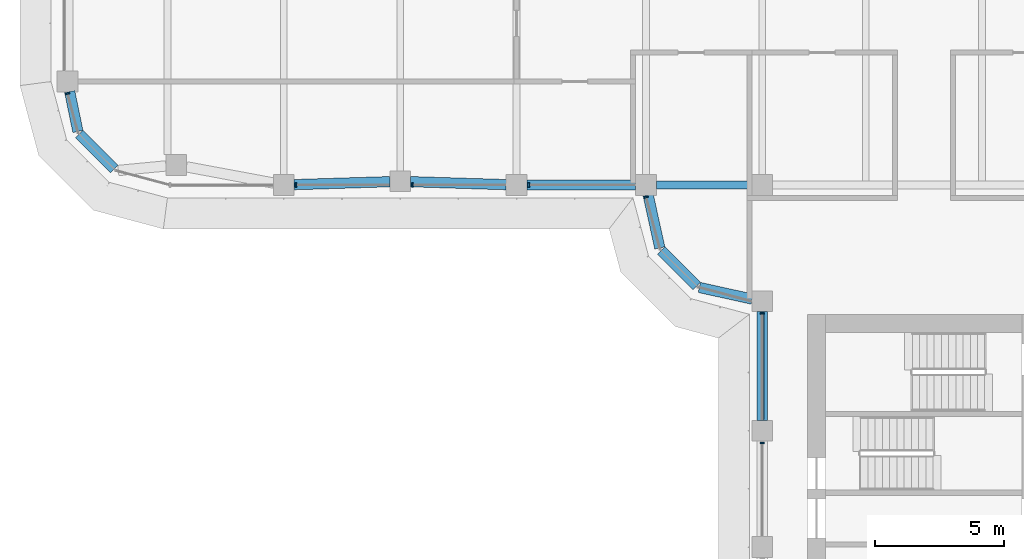
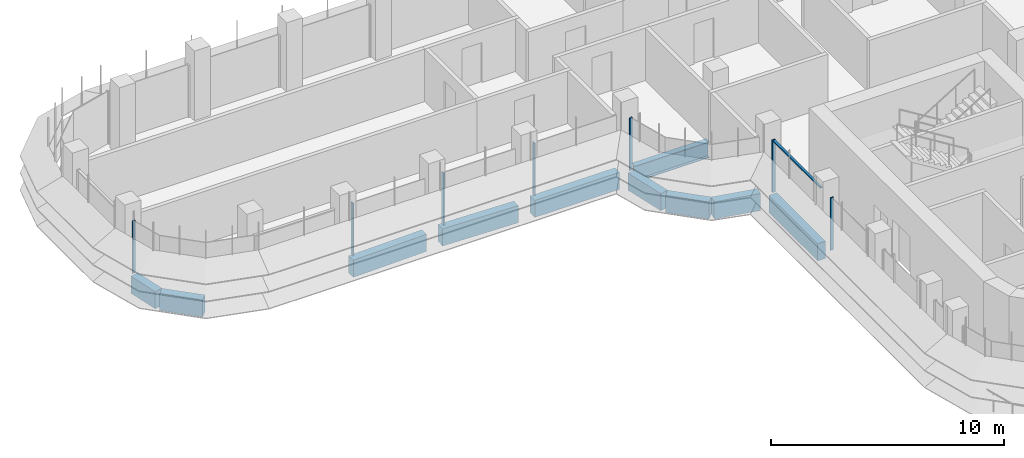
# One storey, part 3 of 20: 10 beams, 8 members, 4 elements without a shape of their own.
"""IFC4 building model written with IfcOpenShell, lengths in metres."""

from ifc_helpers import new_model, si_unit, direction, frame, origin, origin_2d, place, context, subcontext, project, spatial, polyline, rectangle, i_section, outline, extrude, source, transform, mapped, material, material_profile, profile_set, type_object, element, aggregate, save


model = new_model("IFC4")

# Units and contexts
model_context = context("Model", 3, precision=1e-05, world=origin(), true_north=direction((0.0, 1.0)))
body_context = subcontext(model_context, "Body", "Model", "MODEL_VIEW")
ifc_project = project(units=[si_unit("LENGTHUNIT", "METRE"), si_unit("AREAUNIT", "SQUARE_METRE"), si_unit("VOLUMEUNIT", "CUBIC_METRE"), si_unit("PLANEANGLEUNIT", "RADIAN"), si_unit("MASSUNIT", "GRAM", prefix="KILO")], contexts=[model_context])

# Site, building, storey
site_placement = place(None, origin())
site = spatial("IfcSite", under=ifc_project, at=site_placement, CompositionType="ELEMENT")
building_placement = place(site_placement, origin())
building = spatial("IfcBuilding", under=site, at=building_placement, Name="Zarbagh Exchange Tower", CompositionType="ELEMENT")
storey_placement = place(building_placement, frame((0.0, 0.0, 156.199951171875)))
storey = spatial("IfcBuildingStorey", under=building, at=storey_placement, Name="L37", CompositionType="ELEMENT", Elevation=156.199951171875)

# Beams
ifc_material_1 = material(Name="Steel ASTM A992 Gr 50", Category="steel")
ifc_material_profile_1 = material_profile(ifc_material_1, i_section(OverallWidth=0.2919921875, OverallDepth=0.835693359375, WebThickness=0.013916015625, FlangeThickness=0.018798828125, at=origin_2d()), Name="W33X118")
ifc_profile_set_1 = profile_set([ifc_material_profile_1], Name="Steel ASTM A992 Gr 50")
beam_type_1 = type_object("IfcBeamType", Name="Floor girder W33X118", PredefinedType="BEAM", material=ifc_profile_set_1)
beam_1_placement = place(storey_placement, frame((-10.35009765625, -6.25, -0.56787109375), z_axis=(1.0, 0.0, 0.0), x_axis=(0.0, 1.0, 0.0)))
element("IfcBeam", 1, at=beam_1_placement, inside=storey, type_object=beam_type_1, Name="Steel girder", PredefinedType="BEAM", context=body_context, shape_type="SweptSolid", body=[
    extrude(i_section(OverallWidth=0.2919921875, OverallDepth=0.835693359375, WebThickness=0.013916015625, FlangeThickness=0.018798828125, at=origin_2d()), origin(), (0.0, 0.0, 1.0), 3.7001953125),
])
ifc_material_2 = material(Name="Concrete C50/60", Category="concrete")
ifc_material_profile_2 = material_profile(ifc_material_2, rectangle(XDim=0.39990234375, YDim=0.89990234375, at=origin_2d()), Name="RC spandrel beam 400 x 900 C50/60")
ifc_profile_set_2 = profile_set([ifc_material_profile_2], Name="Concrete C50/60")
beam_type_2 = type_object("IfcBeamType", Name="RC spandrel beam 400 x 900 C50/60", PredefinedType="SPANDREL", material=ifc_profile_set_2)
beam_2_placement = place(storey_placement, frame((-6.25, -15.35009765625, -0.599853515625), z_axis=(0.0, 1.0, 0.0), x_axis=(-1.0, 0.0, 0.0)))
element("IfcBeam", 2, at=beam_2_placement, inside=storey, type_object=beam_type_2, Name="RC spandrel beam", PredefinedType="SPANDREL", context=body_context, shape_type="SweptSolid", body=[
    extrude(rectangle(XDim=0.39990234375, YDim=0.89990234375, at=origin_2d()), origin(), (0.0, 0.0, 1.0), 4.2001953125),
])
beam_3_placement = place(storey_placement, frame((-6.640625, -10.66357421875, -0.599853515625), z_axis=(-0.976384278741, 0.216041061437, 0.0), x_axis=(-0.216041061437, -0.976384278741, 0.0)))
element("IfcBeam", 3, at=beam_3_placement, inside=storey, type_object=beam_type_2, Name="RC spandrel beam", PredefinedType="SPANDREL", context=body_context, shape_type="SweptSolid", body=[
    extrude(rectangle(XDim=0.39990234375, YDim=0.89990234375, at=origin_2d()), origin(), (0.0, 0.0, 1.0), 2.0927734375),
])
beam_4_placement = place(storey_placement, frame((-8.782470703125, -10.15771484375, -0.599853515625), z_axis=(-0.707106781187, 0.707106781187, 0.0), x_axis=(-0.707106781187, -0.707106781187, 0.0)))
element("IfcBeam", 4, at=beam_4_placement, inside=storey, type_object=beam_type_2, Name="RC spandrel beam", PredefinedType="SPANDREL", context=body_context, shape_type="SweptSolid", body=[
    extrude(rectangle(XDim=0.39990234375, YDim=0.89990234375, at=origin_2d()), origin(), (0.0, 0.0, 1.0), 1.94482421875),
])
beam_5_placement = place(storey_placement, frame((-10.21142578125, -8.68408203125, -0.599853515625), z_axis=(-0.216041061437, 0.976384278741, 0.0), x_axis=(-0.976384278741, -0.216041061437, 0.0)))
element("IfcBeam", 5, at=beam_5_placement, inside=storey, type_object=beam_type_2, Name="RC spandrel beam", PredefinedType="SPANDREL", context=body_context, shape_type="SweptSolid", body=[
    extrude(rectangle(XDim=0.39990234375, YDim=0.89990234375, at=origin_2d()), origin(), (0.0, 0.0, 1.0), 2.0927734375),
])
beam_6_placement = place(storey_placement, frame((-11.14990234375, -6.25, -0.599853515625), z_axis=(-1.0, 0.0, 0.0), x_axis=(0.0, -1.0, 0.0)))
element("IfcBeam", 6, at=beam_6_placement, inside=storey, type_object=beam_type_2, Name="RC spandrel beam", PredefinedType="SPANDREL", context=body_context, shape_type="SweptSolid", body=[
    extrude(rectangle(XDim=0.39990234375, YDim=0.89990234375, at=origin_2d()), origin(), (0.0, 0.0, 1.0), 4.2001953125),
])
for number, where, z_axis, x_axis, name in (
    (7, (-16.14990234375, -6.237548828125, -0.599853515625), (-0.999515416033, 0.031127690444, 0.0), (-0.031127690444, -0.999515416033, 0.0), "RC spandrel beam"),
    (8, (-20.64990234375, -6.122314453125, -0.599853515625), (-0.999515416033, -0.031127690444, 0.0), (0.031127690444, -0.999515416033, 0.0), "RC spandrel beam"),
):
    element("IfcBeam", number, at=place(storey_placement, frame(where, z_axis=z_axis, x_axis=x_axis)), inside=storey, type_object=beam_type_2, Name=name, PredefinedType="SPANDREL", context=body_context, shape_type="SweptSolid", body=[
        extrude(rectangle(XDim=0.39990234375, YDim=0.89990234375, at=origin_2d()), origin(), (0.0, 0.0, 1.0), 3.701904296875),
    ])
beam_7_placement = place(storey_placement, frame((-31.307861328125, -5.632080078125, -0.599853515625), z_axis=(-0.707106781187, 0.707106781187, 0.0), x_axis=(-0.707106781187, -0.707106781187, 0.0)))
element("IfcBeam", 9, at=beam_7_placement, inside=storey, type_object=beam_type_2, Name="RC spandrel beam", PredefinedType="SPANDREL", context=body_context, shape_type="SweptSolid", body=[
    extrude(rectangle(XDim=0.39990234375, YDim=0.89990234375, at=origin_2d()), origin(), (0.0, 0.0, 1.0), 1.9072265625),
])
beam_8_placement = place(storey_placement, frame((-32.7109375, -4.1826171875, -0.599853515625), z_axis=(-0.20216948151, 0.979350550491, 0.0), x_axis=(-0.979350550491, -0.20216948151, 0.0)))
element("IfcBeam", 10, at=beam_8_placement, inside=storey, type_object=beam_type_2, Name="RC spandrel beam", PredefinedType="SPANDREL", context=body_context, shape_type="SweptSolid", body=[
    extrude(rectangle(XDim=0.39990234375, YDim=0.89990234375, at=origin_2d()), origin(), (0.0, 0.0, 1.0), 1.573486328125),
])

# Curtain wall, member
ifc_material_3 = material(Name="Anodised aluminium frame and glazing", Category="aluminium")
curtain_wall_type = type_object("IfcCurtainWallType", Name="CWB Ribbon glazing, upper zones", PredefinedType="NOTDEFINED", material=ifc_material_3)
curtain_wall_1_placement = place(storey_placement, origin())
curtain_wall_1 = element("IfcCurtainWall", 11, at=curtain_wall_1_placement, inside=storey, type_object=curtain_wall_type, Name="CWB37 curtain wall", PredefinedType="NOTDEFINED")
ifc_material_4 = material(Name="Anodised aluminium frame", Category="aluminium")
member_type_1 = type_object("IfcMemberType", Name="MUB Mullion, anodised aluminium frame", PredefinedType="MULLION", material=ifc_material_4)
shared_shape_1 = source(origin(), body_context, "Body", "SweptSolid", [
    extrude(outline(polyline([(0.0, -0.080078125), (0.06005859375, -0.080078125), (0.06005859375, 0.080078125), (0.0, 0.080078125), (0.0, -0.080078125)])), origin(), (0.0, 0.0, 1.0), 2.75),
])
placement = place(storey_placement, origin())
member_1 = element("IfcMember", 12, at=placement, type_object=member_type_1, Name="CWB37 mullion 1.1", PredefinedType="MULLION", context=body_context, shape_type="MappedRepresentation", body=[
    mapped(shared_shape_1, transform((-33.114501953125, -2.68994140625, 0.0), x_axis=(0.258824779902, -0.965924289636, 0.0), y_axis=(0.965924289636, 0.258824779902, 0.0), z_axis=(0.0, 0.0, 1.0))),
])
aggregate(curtain_wall_1, [member_1])

# Curtain wall, members
curtain_wall_2_placement = place(storey_placement, origin())
curtain_wall_2 = element("IfcCurtainWall", 13, at=curtain_wall_2_placement, inside=storey, type_object=curtain_wall_type, Name="CWB40 curtain wall", PredefinedType="NOTDEFINED")
member_2 = element("IfcMember", 14, at=placement, type_object=member_type_1, Name="CWB40 mullion 2.1", PredefinedType="MULLION", context=body_context, shape_type="MappedRepresentation", body=[
    mapped(shared_shape_1, transform((-24.31005859375, -6.25, 0.0), x_axis=(1.0, 0.0, 0.0), y_axis=(0.0, 1.0, 0.0), z_axis=(0.0, 0.0, 1.0))),
])
member_3 = element("IfcMember", 15, at=placement, type_object=member_type_1, Name="CWB40 mullion 3.1", PredefinedType="MULLION", context=body_context, shape_type="MappedRepresentation", body=[
    mapped(shared_shape_1, transform((-19.81005859375, -6.25, 0.0), x_axis=(1.0, 0.0, 0.0), y_axis=(0.0, 1.0, 0.0), z_axis=(0.0, 0.0, 1.0))),
])
member_4 = element("IfcMember", 16, at=placement, type_object=member_type_1, Name="CWB40 mullion 4.1", PredefinedType="MULLION", context=body_context, shape_type="MappedRepresentation", body=[
    mapped(shared_shape_1, transform((-15.31005859375, -6.25, 0.0), x_axis=(1.0, 0.0, 0.0), y_axis=(0.0, 1.0, 0.0), z_axis=(0.0, 0.0, 1.0))),
])
aggregate(curtain_wall_2, [member_2, member_3, member_4])

# Curtain wall, member
curtain_wall_3_placement = place(storey_placement, origin())
curtain_wall_3 = element("IfcCurtainWall", 17, at=curtain_wall_3_placement, inside=storey, type_object=curtain_wall_type, Name="CWB41 curtain wall", PredefinedType="NOTDEFINED")
member_5 = element("IfcMember", 18, at=placement, type_object=member_type_1, Name="CWB41 mullion 1.1", PredefinedType="MULLION", context=body_context, shape_type="MappedRepresentation", body=[
    mapped(shared_shape_1, transform((-10.74853515625, -6.68994140625, 0.0), x_axis=(0.258824779902, -0.965924289636, 0.0), y_axis=(0.965924289636, 0.258824779902, 0.0), z_axis=(0.0, 0.0, 1.0))),
])
aggregate(curtain_wall_3, [member_5])

# Curtain wall, members
curtain_wall_4_placement = place(storey_placement, origin())
curtain_wall_4 = element("IfcCurtainWall", 19, at=curtain_wall_4_placement, inside=storey, type_object=curtain_wall_type, Name="CWB53 curtain wall", PredefinedType="NOTDEFINED")
member_6 = element("IfcMember", 20, at=placement, type_object=member_type_1, Name="CWB53 mullion 1.1", PredefinedType="MULLION", context=body_context, shape_type="MappedRepresentation", body=[
    mapped(shared_shape_1, transform((-6.25, -11.18994140625, 0.0), x_axis=(0.0, -1.0, 0.0), y_axis=(1.0, 0.0, 0.0), z_axis=(0.0, 0.0, 1.0))),
])
member_7 = element("IfcMember", 21, at=placement, type_object=member_type_1, Name="CWB53 mullion 2.1", PredefinedType="MULLION", context=body_context, shape_type="MappedRepresentation", body=[
    mapped(shared_shape_1, transform((-6.25, -16.18994140625, 0.0), x_axis=(0.0, -1.0, 0.0), y_axis=(1.0, 0.0, 0.0), z_axis=(0.0, 0.0, 1.0))),
])
member_type_2 = type_object("IfcMemberType", Name="TRB Transom, anodised aluminium frame", PredefinedType="USERDEFINED", material=ifc_material_4)
shared_shape_2 = source(origin(), body_context, "Body", "SweptSolid", [
    extrude(outline(polyline([(-0.06005859375, -0.06005859375), (0.0, -0.06005859375), (0.0, 0.06005859375), (-0.06005859375, 0.06005859375), (-0.06005859375, -0.06005859375)])), origin(), (0.0, 0.0, 1.0), 4.06005859375),
])
member_8 = element("IfcMember", 22, at=placement, type_object=member_type_2, Name="CWB53 transom 1.1", ObjectType="TRANSOM", PredefinedType="USERDEFINED", context=body_context, shape_type="MappedRepresentation", body=[
    mapped(shared_shape_2, transform((-6.25, -11.25, 2.75), x_axis=(0.0, 0.0, 1.0), y_axis=(-1.0, 0.0, 0.0), z_axis=(0.0, -1.0, 0.0))),
])
aggregate(curtain_wall_4, [member_6, member_8, member_7])

save(model, "model.ifc")
